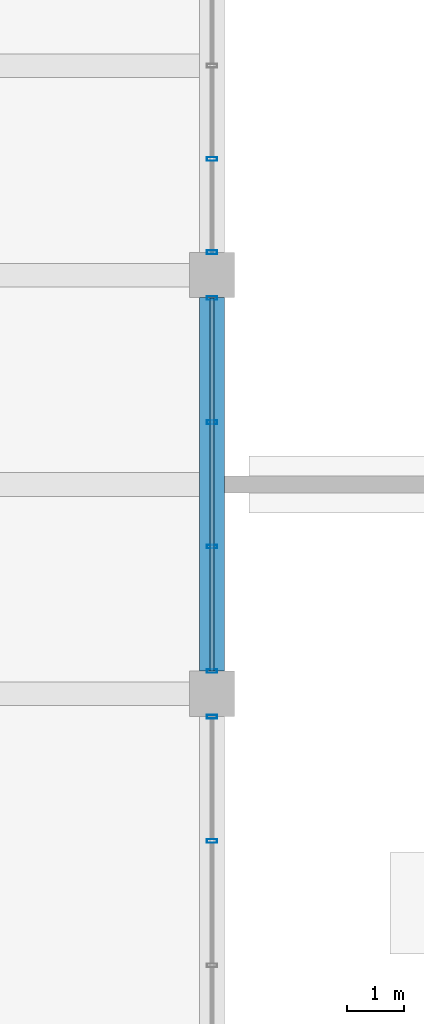
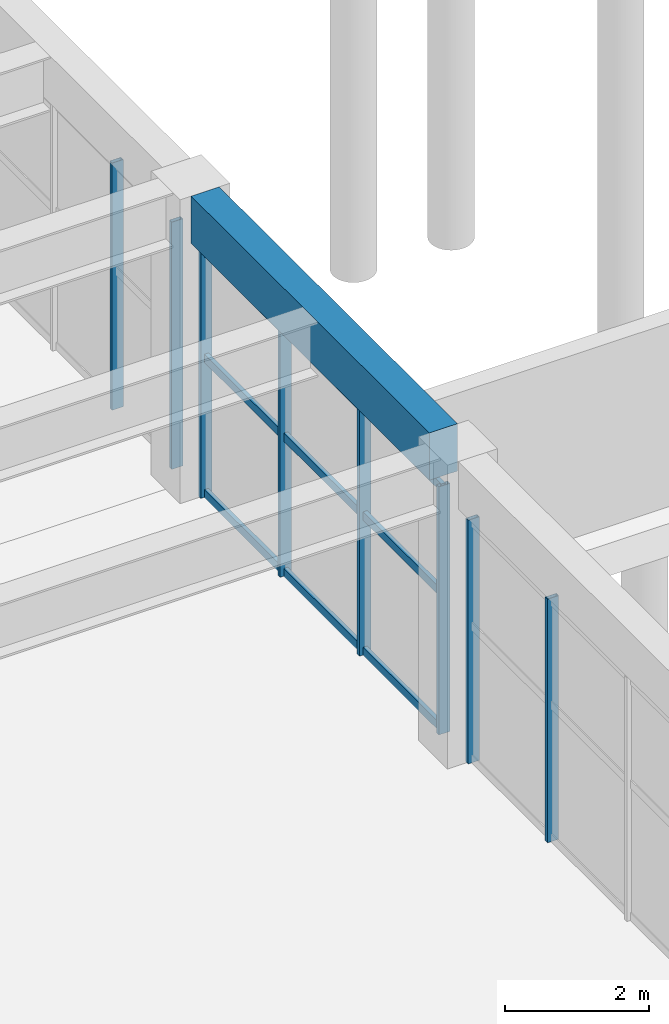
# One storey, part 76 of 140: 11 members, 1 beam, 3 elements without a shape of their own.
"""IFC4 building model written with IfcOpenShell, lengths in metres."""

import ifcopenshell
import ifcopenshell.guid

model = None  # the IFC model being written
_history = None  # IfcOwnerHistory: only IFC2X3 demands one
_inside = {}  # id of a spatial element -> (the spatial element, [elements in it])
_under = {}  # id of a project, library or spatial element -> (it, [spatial elements below it])
_declared = {}  # id of a project -> (the project, [libraries it declares])
_typed = {}  # id of a type object -> (the type object, [elements of that type])
_made_of = {}  # id of a material, layer set ... -> (it, [elements and type objects made of it])


def new_model(schema):
    """Start an empty IFC model of exactly this schema.

    Asked for "IFC4X3", IfcOpenShell would pick the latest addendum, in which some entities
    have other attributes; the version numbers below select the first issue.
    IFC2X3 requires an IfcOwnerHistory on every rooted entity: one is made here for all.
    """
    global model, _history
    if schema == "IFC4X3":
        model = ifcopenshell.file(schema_version=(4, 3, 0, 0))
    else:
        model = ifcopenshell.file(schema=schema)
    _inside.clear()
    _under.clear()
    _declared.clear()
    _typed.clear()
    _made_of.clear()
    _history = None
    if model.schema == "IFC2X3":
        org = make("IfcOrganization", Name="unknown")
        user = make(
            "IfcPersonAndOrganization",
            ThePerson=make("IfcPerson", FamilyName="unknown"),
            TheOrganization=org,
        )
        app = make(
            "IfcApplication",
            ApplicationDeveloper=org,
            Version="unknown",
            ApplicationFullName="unknown",
            ApplicationIdentifier="unknown",
        )
        _history = make(
            "IfcOwnerHistory",
            OwningUser=user,
            OwningApplication=app,
            ChangeAction="ADDED",
            CreationDate=0,
        )
    return model


def make(cls, **values):
    """One entity of the class cls with the attributes given. An attribute that is None is left unset."""
    return model.create_entity(
        cls, **{name: value for name, value in values.items() if value is not None}
    )


def rooted(cls, **values):
    """An entity with a GlobalId (a new one), such as an element, a storey or a relation."""
    return make(cls, GlobalId=ifcopenshell.guid.new(), OwnerHistory=_history, **values)


def si_unit(unit_type, name, prefix=None):
    """IfcSIUnit, for example si_unit("LENGTHUNIT", "METRE", prefix="MILLI")."""
    return make("IfcSIUnit", UnitType=unit_type, Prefix=prefix, Name=name)


def assignment(units):
    """IfcUnitAssignment: the units of a project."""
    return None if units is None else make("IfcUnitAssignment", Units=units)


def point(xyz):
    """IfcCartesianPoint."""
    return None if xyz is None else make("IfcCartesianPoint", Coordinates=xyz)


def direction(xyz):
    """IfcDirection."""
    return None if xyz is None else make("IfcDirection", DirectionRatios=xyz)


def frame(location, z_axis=None, x_axis=None):
    """IfcAxis2Placement3D, a coordinate frame: its origin and axes. An axis left out is left unset."""
    return make(
        "IfcAxis2Placement3D",
        Location=point(location),
        Axis=direction(z_axis),
        RefDirection=direction(x_axis),
    )


def frame_2d(location, x_axis=None):
    """IfcAxis2Placement2D, a coordinate frame in the plane: its origin and x axis."""
    return make(
        "IfcAxis2Placement2D", Location=point(location), RefDirection=direction(x_axis)
    )


def origin():
    """The frame at (0, 0, 0) with its axes left unset."""
    return frame((0.0, 0.0, 0.0))


def origin_2d():
    """The frame at (0, 0) in the plane with its x axis left unset."""
    return frame_2d((0.0, 0.0))


def place(relative_to, where):
    """IfcLocalPlacement: puts the frame where relative to a parent placement (None: the world)."""
    return make(
        "IfcLocalPlacement", PlacementRelTo=relative_to, RelativePlacement=where
    )


def context(
    kind, dimensions, precision=None, world=None, true_north=None, identifier=None
):
    """IfcGeometricRepresentationContext, for example the 3D "Model" context."""
    return make(
        "IfcGeometricRepresentationContext",
        ContextIdentifier=identifier,
        ContextType=kind,
        CoordinateSpaceDimension=dimensions,
        Precision=precision,
        WorldCoordinateSystem=world,
        TrueNorth=true_north,
    )


def subcontext(parent, identifier, kind, view, scale=None):
    """IfcGeometricRepresentationSubContext, for example "Body" below "Model"."""
    return make(
        "IfcGeometricRepresentationSubContext",
        ContextIdentifier=identifier,
        ContextType=kind,
        ParentContext=parent,
        TargetScale=scale,
        TargetView=view,
    )


def project(units=None, contexts=None):
    """IfcProject with its units and contexts."""
    return rooted(
        "IfcProject",
        Name="project",
        RepresentationContexts=contexts,
        UnitsInContext=assignment(units),
    )


def spatial(cls, under=None, at=None, **own):
    """A site, building, storey or space (cls), placed at a placement, below another one or the project."""
    s = rooted(cls, ObjectPlacement=at, **own)
    if under is not None:
        _under.setdefault(under.id(), (under, []))[1].append(s)
    return s


def profile(cls, at=None, kind="AREA", **sizes):
    """A parametric profile (cls). Its sizes go by their IFC names, for example OverallWidth=200.0."""
    return make(cls, ProfileType=kind, Position=at, **sizes)


def rectangle(**sizes):
    """IfcRectangleProfileDef."""
    return profile("IfcRectangleProfileDef", **sizes)


def hollow_rectangle(**sizes):
    """IfcRectangleHollowProfileDef."""
    return profile("IfcRectangleHollowProfileDef", **sizes)


def extrude(swept, where, along, depth):
    """IfcExtrudedAreaSolid: the profile swept, set in the frame where, extruded along a direction by depth."""
    return make(
        "IfcExtrudedAreaSolid",
        SweptArea=swept,
        Position=where,
        ExtrudedDirection=direction(along),
        Depth=depth,
    )


def shape(context_of_items, identifier, shape_type, items):
    """IfcShapeRepresentation: the items that make up one representation, for example the "Body"."""
    return make(
        "IfcShapeRepresentation",
        ContextOfItems=context_of_items,
        RepresentationIdentifier=identifier,
        RepresentationType=shape_type,
        Items=items,
    )


def material(Name=None, Category=None):
    """IfcMaterial."""
    return make("IfcMaterial", Name=Name, Category=Category)


def material_profile(
    of_material, cross_section, Name=None, Category=None, Priority=None
):
    """IfcMaterialProfile: a cross section and its material."""
    return make(
        "IfcMaterialProfile",
        Name=Name,
        Material=of_material,
        Profile=cross_section,
        Priority=Priority,
        Category=Category,
    )


def profile_set(profiles, Name=None, composite=None):
    """IfcMaterialProfileSet."""
    return make(
        "IfcMaterialProfileSet",
        Name=Name,
        MaterialProfiles=profiles,
        CompositeProfile=composite,
    )


def made_of(thing, what):
    """Note that an element or type object is made of a material, layer set ...; save() writes the relation."""
    if what is not None:
        _made_of.setdefault(what.id(), (what, []))[1].append(thing)
    return thing


def type_object(cls, material=None, **own):
    """A type object (cls), such as IfcWallType, which elements share."""
    return made_of(rooted(cls, **own), material)


def element(
    cls,
    number,
    at=None,
    inside=None,
    cuts=None,
    type_object=None,
    material=None,
    context=None,
    identifier="Body",
    shape_type=None,
    held_by="IfcProductDefinitionShape",
    body=None,
    shapes=None,
    **own,
):
    """One element of the class cls, such as IfcWall. Its Tag is "e" and its number.

    at: its placement. inside: the storey or other place that contains it. cuts: it is an
    opening in that element (IfcRelVoidsElement). A single representation is given by context,
    identifier, shape_type and body (its items); several are given by shapes. held_by: the class
    of the entity that holds the representations. save() writes the other relations.
    """
    e = rooted(cls, Tag="e%d" % number, ObjectPlacement=at, **own)
    if body is not None:
        shapes = [shape(context, identifier, shape_type, body)]
    if shapes is not None:
        e.Representation = make(held_by, Representations=shapes)
    if inside is not None:
        _inside.setdefault(inside.id(), (inside, []))[1].append(e)
    if cuts is not None:
        rooted(
            "IfcRelVoidsElement", RelatingBuildingElement=cuts, RelatedOpeningElement=e
        )
    if type_object is not None:
        _typed.setdefault(type_object.id(), (type_object, []))[1].append(e)
    return made_of(e, material)


def aggregate(whole, parts):
    """IfcRelAggregates: a whole, such as a stair, and the parts it consists of."""
    return rooted("IfcRelAggregates", RelatingObject=whole, RelatedObjects=parts)


def save(model, path):
    """Write the relations noted so far, then the file.

    IfcRelAggregates (storeys below a building ...), IfcRelContainedInSpatialStructure (elements
    in a storey), IfcRelDefinesByType, IfcRelAssociatesMaterial and IfcRelDeclares: one each for
    every whole, place, type object, material and project.
    """
    for whole, parts in _under.values():
        aggregate(whole, parts)
    for where, things in _inside.values():
        rooted(
            "IfcRelContainedInSpatialStructure",
            RelatedElements=things,
            RelatingStructure=where,
        )
    for kind, things in _typed.values():
        rooted("IfcRelDefinesByType", RelatedObjects=things, RelatingType=kind)
    for what, things in _made_of.values():
        rooted("IfcRelAssociatesMaterial", RelatedObjects=things, RelatingMaterial=what)
    for by, libraries in _declared.values():
        rooted("IfcRelDeclares", RelatingContext=by, RelatedDefinitions=libraries)
    model.write(path)


model = new_model("IFC4")

# Units and contexts
model_context = context("Model", 3, precision=1e-05, world=origin(), true_north=direction((0.0, 1.0)))
body_context = subcontext(model_context, "Body", "Model", "MODEL_VIEW")
ifc_project = project(units=[si_unit("LENGTHUNIT", "METRE"), si_unit("AREAUNIT", "SQUARE_METRE"), si_unit("VOLUMEUNIT", "CUBIC_METRE"), si_unit("PLANEANGLEUNIT", "RADIAN"), si_unit("MASSUNIT", "GRAM", prefix="KILO")], contexts=[model_context])

# Site, building, storey
site_placement = place(None, origin())
site = spatial("IfcSite", under=ifc_project, at=site_placement, CompositionType="ELEMENT")
building_placement = place(site_placement, origin())
building = spatial("IfcBuilding", under=site, at=building_placement, Name="Cimatlan Art Gallery", CompositionType="ELEMENT")
storey_placement = place(building_placement, origin())
storey = spatial("IfcBuildingStorey", under=building, at=storey_placement, Name="L00", CompositionType="ELEMENT", Elevation=0.0)

# Beam
ifc_material_1 = material(Name="Concrete C40/50", Category="concrete")
ifc_material_profile_1 = material_profile(ifc_material_1, rectangle(XDim=0.449951171875, YDim=0.800048828125, at=origin_2d()), Name="RC450X800")
ifc_profile_set_1 = profile_set([ifc_material_profile_1], Name="Concrete C40/50")
beam_type = type_object("IfcBeamType", Name="BM-RC-450X800", PredefinedType="BEAM", material=ifc_profile_set_1)
beam_placement = place(storey_placement, frame((99.199951171875, 68.699951171875, 4.735107421875), z_axis=(0.0, 1.0, 0.0), x_axis=(-1.0, 0.0, 0.0)))
element("IfcBeam", 1, at=beam_placement, inside=storey, type_object=beam_type, Name="BM-Y-L00-12-09", PredefinedType="BEAM", context=body_context, shape_type="SweptSolid", body=[
    extrude(rectangle(XDim=0.449951171875, YDim=0.800048828125, at=origin_2d()), origin(), (0.0, 0.0, 1.0), 6.60009765625),
])

# Curtain wall, members
ifc_material_2 = material(Name="Anodised bronze unitised curtain wall")
curtain_wall_type_1 = type_object("IfcCurtainWallType", Name="CW-V-06592X04118-B3", PredefinedType="NOTDEFINED", material=ifc_material_2)
curtain_wall_1_placement = place(storey_placement, origin())
curtain_wall_1 = element("IfcCurtainWall", 2, at=curtain_wall_1_placement, inside=storey, type_object=curtain_wall_type_1, Name="CW-L00-11-08-E", PredefinedType="NOTDEFINED")
ifc_material_3 = material(Name="Anodised bronze aluminium 6063-T6", Category="aluminium")
ifc_material_profile_2 = material_profile(ifc_material_3, hollow_rectangle(XDim=0.06494140625, YDim=0.179931640625, WallThickness=0.00390625, at=origin_2d()), Name="ALU65X180X4")
ifc_profile_set_2 = profile_set([ifc_material_profile_2], Name="Anodised bronze aluminium 6063-T6")
member_type_1 = type_object("IfcMemberType", Name="CW-MUL-180", PredefinedType="MULLION", material=ifc_profile_set_2)
member_1_placement = place(storey_placement, frame((99.199951171875, 67.89599609375, 0.0), z_axis=(0.0, 0.0, 1.0), x_axis=(0.0, 1.0, 0.0)))
member_1 = element("IfcMember", 3, at=member_1_placement, type_object=member_type_1, Name="CW-L00-11-08-E-M1", PredefinedType="MULLION", context=body_context, shape_type="SweptSolid", body=[
    extrude(hollow_rectangle(XDim=0.06494140625, YDim=0.179931640625, WallThickness=0.00390625, at=origin_2d()), origin(), (0.0, 0.0, 1.0), 4.117919921875),
])
member_2_placement = place(storey_placement, frame((99.199951171875, 65.69873046875, 0.0), z_axis=(0.0, 0.0, 1.0), x_axis=(0.0, 1.0, 0.0)))
member_2 = element("IfcMember", 4, at=member_2_placement, type_object=member_type_1, Name="CW-L00-11-08-E-M2", PredefinedType="MULLION", context=body_context, shape_type="SweptSolid", body=[
    extrude(hollow_rectangle(XDim=0.06494140625, YDim=0.179931640625, WallThickness=0.00390625, at=origin_2d()), origin(), (0.0, 0.0, 1.0), 4.117919921875),
])
aggregate(curtain_wall_1, [member_1, member_2])

curtain_wall_type_2 = type_object("IfcCurtainWallType", Name="CW-V-06592X04193-B3", PredefinedType="NOTDEFINED", material=ifc_material_2)
curtain_wall_2_placement = place(storey_placement, origin())
curtain_wall_2 = element("IfcCurtainWall", 5, at=curtain_wall_2_placement, inside=storey, type_object=curtain_wall_type_2, Name="CW-L00-11-09-E", PredefinedType="NOTDEFINED")
member_3_placement = place(storey_placement, frame((99.199951171875, 75.2958984375, 0.0), z_axis=(0.0, 0.0, 1.0), x_axis=(0.0, 1.0, 0.0)))
member_3 = element("IfcMember", 6, at=member_3_placement, type_object=member_type_1, Name="CW-L00-11-09-E-M1", PredefinedType="MULLION", context=body_context, shape_type="SweptSolid", body=[
    extrude(hollow_rectangle(XDim=0.06494140625, YDim=0.179931640625, WallThickness=0.00390625, at=origin_2d()), origin(), (0.0, 0.0, 1.0), 4.193115234375),
])
member_4_placement = place(storey_placement, frame((99.199951171875, 73.0986328125, 0.0), z_axis=(0.0, 0.0, 1.0), x_axis=(0.0, 1.0, 0.0)))
member_4 = element("IfcMember", 7, at=member_4_placement, type_object=member_type_1, Name="CW-L00-11-09-E-M2", PredefinedType="MULLION", context=body_context, shape_type="SweptSolid", body=[
    extrude(hollow_rectangle(XDim=0.06494140625, YDim=0.179931640625, WallThickness=0.00390625, at=origin_2d()), origin(), (0.0, 0.0, 1.0), 4.193115234375),
])
member_5_placement = place(storey_placement, frame((99.199951171875, 70.9013671875, 0.0), z_axis=(0.0, 0.0, 1.0), x_axis=(0.0, 1.0, 0.0)))
member_5 = element("IfcMember", 8, at=member_5_placement, type_object=member_type_1, Name="CW-L00-11-09-E-M3", PredefinedType="MULLION", context=body_context, shape_type="SweptSolid", body=[
    extrude(hollow_rectangle(XDim=0.06494140625, YDim=0.179931640625, WallThickness=0.00390625, at=origin_2d()), origin(), (0.0, 0.0, 1.0), 4.193115234375),
])
member_6_placement = place(storey_placement, frame((99.199951171875, 68.7041015625, 0.0), z_axis=(0.0, 0.0, 1.0), x_axis=(0.0, 1.0, 0.0)))
member_6 = element("IfcMember", 9, at=member_6_placement, type_object=member_type_1, Name="CW-L00-11-09-E-M4", PredefinedType="MULLION", context=body_context, shape_type="SweptSolid", body=[
    extrude(hollow_rectangle(XDim=0.06494140625, YDim=0.179931640625, WallThickness=0.00390625, at=origin_2d()), origin(), (0.0, 0.0, 1.0), 4.193115234375),
])

curtain_wall_type_3 = type_object("IfcCurtainWallType", Name="CW-V-06592X04178-B4", PredefinedType="NOTDEFINED", material=ifc_material_2)
curtain_wall_3_placement = place(storey_placement, origin())
curtain_wall_3 = element("IfcCurtainWall", 10, at=curtain_wall_3_placement, inside=storey, type_object=curtain_wall_type_3, Name="CW-L00-11-10-E", PredefinedType="NOTDEFINED")
member_7_placement = place(storey_placement, frame((99.199951171875, 77.751953125, 0.0), z_axis=(0.0, 0.0, 1.0), x_axis=(0.0, 1.0, 0.0)))
member_7 = element("IfcMember", 11, at=member_7_placement, type_object=member_type_1, Name="CW-L00-11-10-E-M4", PredefinedType="MULLION", context=body_context, shape_type="SweptSolid", body=[
    extrude(hollow_rectangle(XDim=0.06494140625, YDim=0.179931640625, WallThickness=0.00390625, at=origin_2d()), origin(), (0.0, 0.0, 1.0), 4.177978515625),
])
member_8_placement = place(storey_placement, frame((99.199951171875, 76.10400390625, 0.0), z_axis=(0.0, 0.0, 1.0), x_axis=(0.0, 1.0, 0.0)))
member_8 = element("IfcMember", 12, at=member_8_placement, type_object=member_type_1, Name="CW-L00-11-10-E-M5", PredefinedType="MULLION", context=body_context, shape_type="SweptSolid", body=[
    extrude(hollow_rectangle(XDim=0.06494140625, YDim=0.179931640625, WallThickness=0.00390625, at=origin_2d()), origin(), (0.0, 0.0, 1.0), 4.177978515625),
])
aggregate(curtain_wall_3, [member_7, member_8])

# Member
ifc_material_profile_3 = material_profile(ifc_material_3, hollow_rectangle(XDim=0.06494140625, YDim=0.139892578125, WallThickness=0.00390625, at=origin_2d()), Name="ALU65X140X4")
ifc_profile_set_3 = profile_set([ifc_material_profile_3], Name="Anodised bronze aluminium 6063-T6")
member_type_2 = type_object("IfcMemberType", Name="CW-TRN-140", PredefinedType="USERDEFINED", material=ifc_profile_set_3)
member_9_placement = place(storey_placement, frame((99.199951171875, 75.2958984375, 0.06005859375), z_axis=(0.0, -1.0, 0.0), x_axis=(1.0, 0.0, 0.0)))
member_9 = element("IfcMember", 13, at=member_9_placement, type_object=member_type_2, Name="CW-L00-11-09-E-T1", ObjectType="TRANSOM", PredefinedType="USERDEFINED", context=body_context, shape_type="SweptSolid", body=[
    extrude(hollow_rectangle(XDim=0.06494140625, YDim=0.139892578125, WallThickness=0.00390625, at=origin_2d()), origin(), (0.0, 0.0, 1.0), 6.591796875),
])

member_10_placement = place(storey_placement, frame((99.199951171875, 75.2958984375, 2.34814453125), z_axis=(0.0, -1.0, 0.0), x_axis=(1.0, 0.0, 0.0)))
member_10 = element("IfcMember", 14, at=member_10_placement, type_object=member_type_2, Name="CW-L00-11-09-E-T2", ObjectType="TRANSOM", PredefinedType="USERDEFINED", context=body_context, shape_type="SweptSolid", body=[
    extrude(hollow_rectangle(XDim=0.06494140625, YDim=0.139892578125, WallThickness=0.00390625, at=origin_2d()), origin(), (0.0, 0.0, 1.0), 6.591796875),
])

member_11_placement = place(storey_placement, frame((99.199951171875, 75.2958984375, 4.133056640625), z_axis=(0.0, -1.0, 0.0), x_axis=(1.0, 0.0, 0.0)))
member_11 = element("IfcMember", 15, at=member_11_placement, type_object=member_type_2, Name="CW-L00-11-09-E-T3", ObjectType="TRANSOM", PredefinedType="USERDEFINED", context=body_context, shape_type="SweptSolid", body=[
    extrude(hollow_rectangle(XDim=0.06494140625, YDim=0.139892578125, WallThickness=0.00390625, at=origin_2d()), origin(), (0.0, 0.0, 1.0), 6.591796875),
])

aggregate(curtain_wall_2, [member_3, member_4, member_5, member_6, member_9, member_10, member_11])

save(model, "model.ifc")
